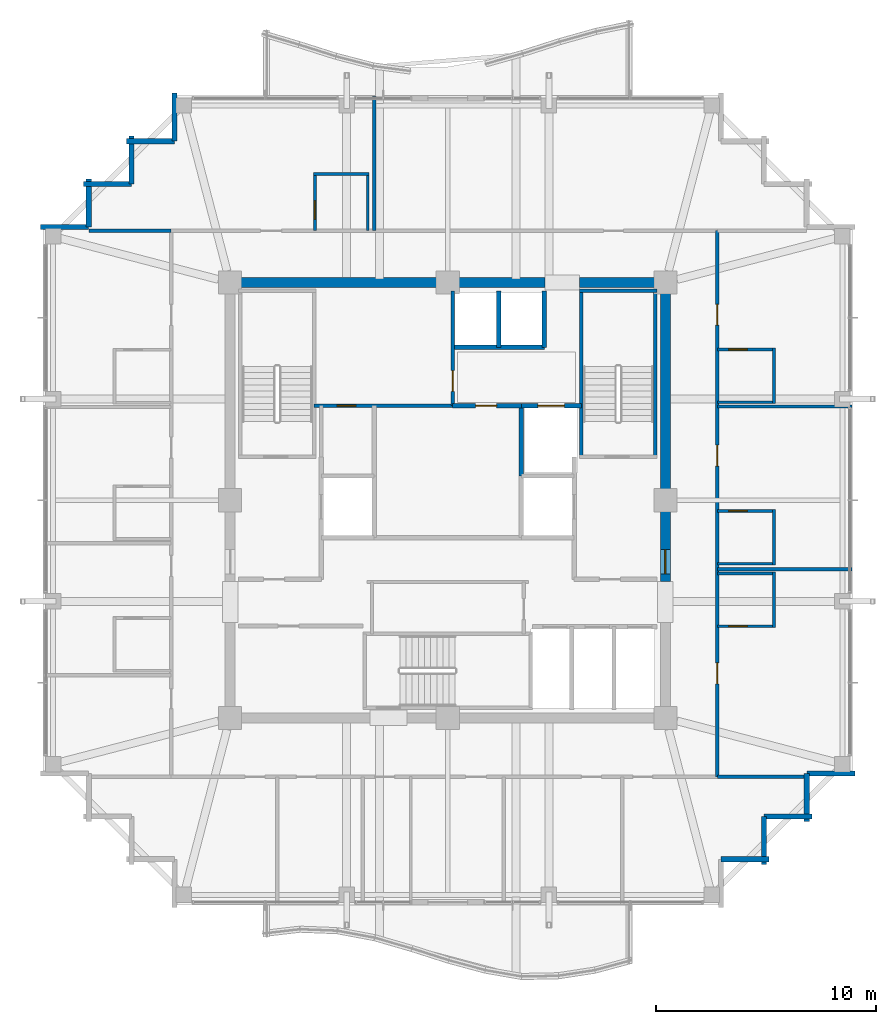
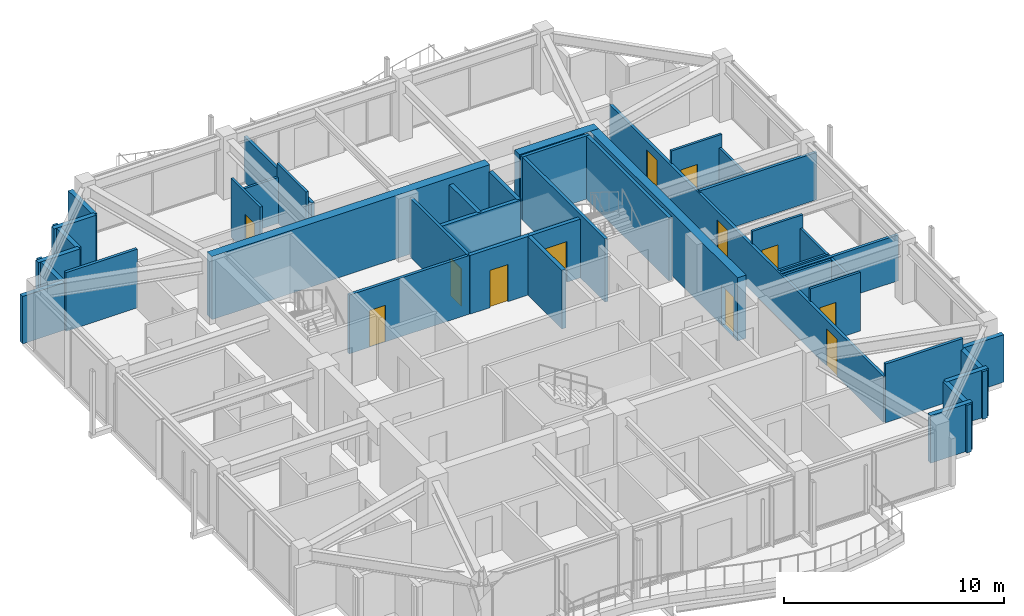
# One storey, part 28 of 31: 43 walls, 12 doors, 12 openings.
"""IFC4 building model written with IfcOpenShell, lengths in metres."""

from ifc_helpers import new_model, si_unit, direction, frame, frame_2d, origin, place, context, subcontext, project, spatial, rectangle, extrude, material, layer, layer_set, type_object, element, fill, save


model = new_model("IFC4")

# Units and contexts
model_context = context("Model", 3, precision=1e-05, world=origin(), true_north=direction((0.0, 1.0)))
body_context = subcontext(model_context, "Body", "Model", "MODEL_VIEW")
ifc_project = project(units=[si_unit("LENGTHUNIT", "METRE"), si_unit("AREAUNIT", "SQUARE_METRE"), si_unit("VOLUMEUNIT", "CUBIC_METRE"), si_unit("PLANEANGLEUNIT", "RADIAN"), si_unit("MASSUNIT", "GRAM", prefix="KILO")], contexts=[model_context])

# Site, building, storey
site_placement = place(None, origin())
site = spatial("IfcSite", under=ifc_project, at=site_placement, CompositionType="ELEMENT")
building_placement = place(site_placement, origin())
building = spatial("IfcBuilding", under=site, at=building_placement, Name="Kolvaren Belvedere", CompositionType="ELEMENT")
storey_placement = place(building_placement, frame((0.0, 0.0, 247.89990234375)))
storey = spatial("IfcBuildingStorey", under=building, at=storey_placement, Name="L72", CompositionType="ELEMENT", Elevation=247.89990234375)

# Walls
ifc_material_1 = material(Name="Concrete C50/60", Category="concrete")
ifc_layer_1 = layer(ifc_material_1, 0.449951171875)
ifc_layer_set_1 = layer_set([ifc_layer_1], Name="Concrete C50/60")
wall_type_1 = type_object("IfcWallType", Name="CW-CORE-450", PredefinedType="SHEAR", material=ifc_layer_set_1)
wall_1_placement = place(storey_placement, frame((-10.125, 9.89990234375, 0.0), z_axis=(0.0, 0.0, 1.0), x_axis=(1.0, 0.0, 0.0)))
element("IfcWall", 1, at=wall_1_placement, inside=storey, type_object=wall_type_1, Name="L72 North Core Shear Wall 1", PredefinedType="SHEAR", context=body_context, shape_type="SweptSolid", body=[
    extrude(rectangle(XDim=14.544921875, YDim=0.449951171875, at=frame_2d((7.2724609375, 0.0))), origin(), (0.0, 0.0, 1.0), 3.5),
])
wall_2_placement = place(storey_placement, frame((5.97998046875, 9.89990234375, 0.0), z_axis=(0.0, 0.0, 1.0), x_axis=(1.0, 0.0, 0.0)))
element("IfcWall", 2, at=wall_2_placement, inside=storey, type_object=wall_type_1, Name="L72 North Core Shear Wall 2", PredefinedType="SHEAR", context=body_context, shape_type="SweptSolid", body=[
    extrude(rectangle(XDim=4.14501953125, YDim=0.449951171875, at=frame_2d((2.072509765625, 0.0))), origin(), (0.0, 0.0, 1.0), 3.5),
])

# Wall, opening, door
wall_3_placement = place(storey_placement, frame((9.89990234375, -3.699951171875, 0.0), z_axis=(0.0, 0.0, 1.0), x_axis=(0.0, 1.0, 0.0)))
wall_3 = element("IfcWall", 3, at=wall_3_placement, inside=storey, type_object=wall_type_1, Name="L72 East Core Shear Wall 2", PredefinedType="SHEAR", context=body_context, shape_type="SweptSolid", body=[
    extrude(rectangle(XDim=13.375, YDim=0.449951171875, at=frame_2d((6.6875, 0.0))), origin(), (0.0, 0.0, 1.0), 3.5),
])
opening_1_placement = place(wall_3_placement, frame((0.35009765625, 0.0, 0.0)))
opening_1 = element("IfcOpeningElement", 4, at=opening_1_placement, cuts=wall_3, Name="Opening D-FD90", PredefinedType="OPENING", context=body_context, shape_type="SweptSolid", body=[
    extrude(rectangle(XDim=1.10009765625, YDim=2.199951171875, at=frame_2d((0.550048828125, 1.10009765625))), frame((0.0, 0.23486328125, 0.0), z_axis=(0.0, -1.0, 0.0), x_axis=(1.0, 0.0, 0.0)), (0.0, 0.0, 1.0), 0.469970703125),
])
ifc_material_2 = material(Name="Painted hollow stainless steel", Category="steel")
door_type_1 = type_object("IfcDoorType", Name="DR-FD90-1100", OperationType="NOTDEFINED", PredefinedType="DOOR", material=ifc_material_2)
door_1_placement = place(opening_1_placement, origin())
door_1 = element("IfcDoor", 5, at=door_1_placement, inside=storey, type_object=door_type_1, Name="L72 East Firefighting Lobby Fire Door", OperationType="SINGLE_SWING_RIGHT", OverallHeight=2.199951171875, OverallWidth=1.10009765625, PredefinedType="DOOR", context=body_context, shape_type="SweptSolid", body=[
    extrude(rectangle(XDim=1.10009765625, YDim=2.199951171875, at=frame_2d((0.550048828125, 1.10009765625))), frame((0.0, 0.02490234375, 0.0), z_axis=(0.0, -1.0, 0.0), x_axis=(1.0, 0.0, 0.0)), (0.0, 0.0, 1.0), 0.050048828125),
])
fill(opening_1, door_1)

# Walls
ifc_material_3 = material(Name="Concrete C50/60", Category="concrete")
ifc_layer_2 = layer(ifc_material_3, 0.159912109375)
ifc_layer_set_2 = layer_set([ifc_layer_2], Name="Concrete C50/60")
wall_type_2 = type_object("IfcWallType", Name="CW-STAIR-160", PredefinedType="SHEAR", material=ifc_layer_set_2)
wall_4_placement = place(storey_placement, frame((6.0, 9.530029296875, 0.0), z_axis=(0.0, 0.0, 1.0), x_axis=(1.0, 0.0, 0.0)))
element("IfcWall", 6, at=wall_4_placement, inside=storey, type_object=wall_type_2, Name="L72 Stair ST-2 North Shear Wall", PredefinedType="SHEAR", context=body_context, shape_type="SweptSolid", body=[
    extrude(rectangle(XDim=3.52001953125, YDim=0.159912109375, at=frame_2d((1.760009765625, 0.0))), origin(), (0.0, 0.0, 1.0), 3.5),
])
for number, where, z_axis, x_axis, name in (
    (7, (6.080078125, 1.969970703125, 0.0), (0.0, 0.0, 1.0), (0.0, 1.0, 0.0), "L72 Stair ST-2 West Shear Wall"),
    (8, (9.429931640625, 1.969970703125, 0.0), (0.0, 0.0, 1.0), (0.0, 1.0, 0.0), "L72 Stair ST-2 East Shear Wall"),
):
    element("IfcWall", number, at=place(storey_placement, frame(where, z_axis=z_axis, x_axis=x_axis)), inside=storey, type_object=wall_type_2, Name=name, PredefinedType="SHEAR", context=body_context, shape_type="SweptSolid", body=[
        extrude(rectangle(XDim=7.56005859375, YDim=0.159912109375, at=frame_2d((3.780029296875, 0.0))), origin(), (0.0, 0.0, 1.0), 3.5),
    ])

# Wall, openings, doors
ifc_material_4 = material(Name="Gypsum fire-rated partition assembly", Category="gypsum")
ifc_layer_3 = layer(ifc_material_4, 0.14990234375)
ifc_layer_set_3 = layer_set([ifc_layer_3], Name="Gypsum fire-rated partition assembly")
wall_type_3 = type_object("IfcWallType", Name="WL-CORR-150", PredefinedType="PARTITIONING", material=ifc_layer_set_3)
wall_5_placement = place(storey_placement, frame((12.260009765625, -12.580078125, 0.0), z_axis=(0.0, 0.0, 1.0), x_axis=(0.0, 1.0, 0.0)))
wall_5 = element("IfcWall", 9, at=wall_5_placement, inside=storey, type_object=wall_type_3, Name="L72 East Corridor Wall", PredefinedType="PARTITIONING", context=body_context, shape_type="SweptSolid", body=[
    extrude(rectangle(XDim=24.840087890625, YDim=0.14990234375, at=frame_2d((12.419921875, 0.0))), origin(), (0.0, 0.0, 1.0), 2.5390625),
])
opening_2_placement = place(wall_5_placement, frame((4.2275390625, 0.0, 0.0)))
opening_2 = element("IfcOpeningElement", 10, at=opening_2_placement, cuts=wall_5, Name="Opening D-FD60", PredefinedType="OPENING", context=body_context, shape_type="SweptSolid", body=[
    extrude(rectangle(XDim=0.949951171875, YDim=2.06005859375, at=frame_2d((0.47509765625, 1.030029296875))), frame((0.0, 0.0849609375, 0.0), z_axis=(0.0, -1.0, 0.0), x_axis=(1.0, 0.0, 0.0)), (0.0, 0.0, 1.0), 0.169921875),
])
opening_3_placement = place(wall_5_placement, frame((14.135009765625, 0.0, 0.0)))
opening_3 = element("IfcOpeningElement", 11, at=opening_3_placement, cuts=wall_5, Name="Opening D-FD60", PredefinedType="OPENING", context=body_context, shape_type="SweptSolid", body=[
    extrude(rectangle(XDim=0.949951171875, YDim=2.06005859375, at=frame_2d((0.47509765625, 1.030029296875))), frame((0.0, 0.0849609375, 0.0), z_axis=(0.0, -1.0, 0.0), x_axis=(1.0, 0.0, 0.0)), (0.0, 0.0, 1.0), 0.169921875),
])
opening_4_placement = place(wall_5_placement, frame((20.54248046875, 0.0, 0.0)))
opening_4 = element("IfcOpeningElement", 12, at=opening_4_placement, cuts=wall_5, Name="Opening D-FD60", PredefinedType="OPENING", context=body_context, shape_type="SweptSolid", body=[
    extrude(rectangle(XDim=0.949951171875, YDim=2.06005859375, at=frame_2d((0.47509765625, 1.030029296875))), frame((0.0, 0.0849609375, 0.0), z_axis=(0.0, -1.0, 0.0), x_axis=(1.0, 0.0, 0.0)), (0.0, 0.0, 1.0), 0.169921875),
])
ifc_material_5 = material(Name="Acoustic white-oak fire door leaf", Category="timber")
door_type_2 = type_object("IfcDoorType", Name="DR-FD60-950", OperationType="NOTDEFINED", PredefinedType="DOOR", material=ifc_material_5)
door_2_placement = place(opening_2_placement, origin())
door_2 = element("IfcDoor", 13, at=door_2_placement, inside=storey, type_object=door_type_2, Name="L72 Botanical Hospitality Suite 7205 Entry Door", OperationType="SINGLE_SWING_LEFT", OverallHeight=2.06005859375, OverallWidth=0.949951171875, PredefinedType="DOOR", context=body_context, shape_type="SweptSolid", body=[
    extrude(rectangle(XDim=0.949951171875, YDim=2.06005859375, at=frame_2d((0.47509765625, 1.030029296875))), frame((0.0, 0.02490234375, 0.0), z_axis=(0.0, -1.0, 0.0), x_axis=(1.0, 0.0, 0.0)), (0.0, 0.0, 1.0), 0.050048828125),
])
fill(opening_2, door_2)
door_3_placement = place(opening_3_placement, origin())
door_3 = element("IfcDoor", 14, at=door_3_placement, inside=storey, type_object=door_type_2, Name="L72 King Guest Room 7206 Entry Door", OperationType="SINGLE_SWING_LEFT", OverallHeight=2.06005859375, OverallWidth=0.949951171875, PredefinedType="DOOR", context=body_context, shape_type="SweptSolid", body=[
    extrude(rectangle(XDim=0.949951171875, YDim=2.06005859375, at=frame_2d((0.47509765625, 1.030029296875))), frame((0.0, 0.02490234375, 0.0), z_axis=(0.0, -1.0, 0.0), x_axis=(1.0, 0.0, 0.0)), (0.0, 0.0, 1.0), 0.050048828125),
])
fill(opening_3, door_3)
door_4_placement = place(opening_4_placement, origin())
door_4 = element("IfcDoor", 15, at=door_4_placement, inside=storey, type_object=door_type_2, Name="L72 Botanical Hospitality Suite 7207 Entry Door", OperationType="SINGLE_SWING_LEFT", OverallHeight=2.06005859375, OverallWidth=0.949951171875, PredefinedType="DOOR", context=body_context, shape_type="SweptSolid", body=[
    extrude(rectangle(XDim=0.949951171875, YDim=2.06005859375, at=frame_2d((0.47509765625, 1.030029296875))), frame((0.0, 0.02490234375, 0.0), z_axis=(0.0, -1.0, 0.0), x_axis=(1.0, 0.0, 0.0)), (0.0, 0.0, 1.0), 0.050048828125),
])
fill(opening_4, door_4)

# Walls
ifc_material_6 = material(Name="Insulated pale-metal facade wall assembly", Category="aluminium")
ifc_layer_4 = layer(ifc_material_6, 0.239990234375)
ifc_layer_set_4 = layer_set([ifc_layer_4], Name="Insulated pale-metal facade wall assembly")
wall_type_4 = type_object("IfcWallType", Name="WL-EXT-240", PredefinedType="STANDARD", material=ifc_layer_set_4)
for number, where, z_axis, x_axis, name in (
    (16, (14.6201171875, -16.330078125, 0.0), (0.0, 0.0, 1.0), (-1.0, 0.0, 0.0), "L72 Serrated Corner Facade Wall 3"),
    (17, (14.3798828125, -14.3798828125, 0.0), (0.0, 0.0, 1.0), (0.0, -1.0, 0.0), "L72 Serrated Corner Facade Wall 4"),
    (18, (16.570068359375, -14.3798828125, 0.0), (0.0, 0.0, 1.0), (-1.0, 0.0, 0.0), "L72 Serrated Corner Facade Wall 5"),
    (19, (16.330078125, -12.429931640625, 0.0), (0.0, 0.0, 1.0), (0.0, -1.0, 0.0), "L72 Serrated Corner Facade Wall 6"),
):
    element("IfcWall", number, at=place(storey_placement, frame(where, z_axis=z_axis, x_axis=x_axis)), inside=storey, type_object=wall_type_4, Name=name, PredefinedType="STANDARD", context=body_context, shape_type="SweptSolid", body=[
        extrude(rectangle(XDim=2.190185546875, YDim=0.239990234375, at=frame_2d((1.09521484375, 0.0))), origin(), (0.0, 0.0, 1.0), 2.633056640625),
    ])
for number, where, z_axis, x_axis, name in (
    (20, (18.52001953125, -12.429931640625, 0.0), (0.0, 0.0, 1.0), (-1.0, 0.0, 0.0), "L72 Serrated Corner Facade Wall 7"),
    (21, (-12.429931640625, 16.330078125, 0.0), (0.0, 0.0, 1.0), (0.0, 1.0, 0.0), "L72 Serrated Corner Facade Wall 16"),
):
    element("IfcWall", number, at=place(storey_placement, frame(where, z_axis=z_axis, x_axis=x_axis)), inside=storey, type_object=wall_type_4, Name=name, PredefinedType="STANDARD", context=body_context, shape_type="SweptSolid", body=[
        extrude(rectangle(XDim=2.18994140625, YDim=0.239990234375, at=frame_2d((1.094970703125, 0.0))), origin(), (0.0, 0.0, 1.0), 2.633056640625),
    ])
for number, where, z_axis, x_axis, name in (
    (22, (-14.6201171875, 16.330078125, 0.0), (0.0, 0.0, 1.0), (1.0, 0.0, 0.0), "L72 Serrated Corner Facade Wall 17"),
    (23, (-14.3798828125, 14.3798828125, 0.0), (0.0, 0.0, 1.0), (0.0, 1.0, 0.0), "L72 Serrated Corner Facade Wall 18"),
    (24, (-16.570068359375, 14.3798828125, 0.0), (0.0, 0.0, 1.0), (1.0, 0.0, 0.0), "L72 Serrated Corner Facade Wall 19"),
    (25, (-16.330078125, 12.429931640625, 0.0), (0.0, 0.0, 1.0), (0.0, 1.0, 0.0), "L72 Serrated Corner Facade Wall 20"),
):
    element("IfcWall", number, at=place(storey_placement, frame(where, z_axis=z_axis, x_axis=x_axis)), inside=storey, type_object=wall_type_4, Name=name, PredefinedType="STANDARD", context=body_context, shape_type="SweptSolid", body=[
        extrude(rectangle(XDim=2.190185546875, YDim=0.239990234375, at=frame_2d((1.09521484375, 0.0))), origin(), (0.0, 0.0, 1.0), 2.633056640625),
    ])
wall_6_placement = place(storey_placement, frame((-18.52001953125, 12.429931640625, 0.0), z_axis=(0.0, 0.0, 1.0), x_axis=(1.0, 0.0, 0.0)))
element("IfcWall", 26, at=wall_6_placement, inside=storey, type_object=wall_type_4, Name="L72 Serrated Corner Facade Wall 21", PredefinedType="STANDARD", context=body_context, shape_type="SweptSolid", body=[
    extrude(rectangle(XDim=2.18994140625, YDim=0.239990234375, at=frame_2d((1.094970703125, 0.0))), origin(), (0.0, 0.0, 1.0), 2.633056640625),
])

# Wall, opening, door
ifc_material_7 = material(Name="Gypsum acoustic partition assembly", Category="gypsum")
ifc_layer_5 = layer(ifc_material_7, 0.14990234375)
ifc_layer_set_5 = layer_set([ifc_layer_5], Name="Gypsum acoustic partition assembly")
wall_type_5 = type_object("IfcWallType", Name="WL-PART-150", PredefinedType="PARTITIONING", material=ifc_layer_set_5)
wall_7_placement = place(storey_placement, frame((-6.080078125, 4.300048828125, 0.0), z_axis=(0.0, 0.0, 1.0), x_axis=(1.0, 0.0, 0.0)))
wall_7 = element("IfcWall", 27, at=wall_7_placement, inside=storey, type_object=wall_type_5, Name="L72 Reclaimed Salon South Wall", PredefinedType="PARTITIONING", context=body_context, shape_type="SweptSolid", body=[
    extrude(rectangle(XDim=6.300048828125, YDim=0.14990234375, at=frame_2d((3.14990234375, 0.0))), origin(), (0.0, 0.0, 1.0), 3.25),
])
opening_5_placement = place(wall_7_placement, frame((1.050048828125, 0.0, 0.0)))
opening_5 = element("IfcOpeningElement", 28, at=opening_5_placement, cuts=wall_7, Name="Opening D-INT85", PredefinedType="OPENING", context=body_context, shape_type="SweptSolid", body=[
    extrude(rectangle(XDim=0.85009765625, YDim=2.030029296875, at=frame_2d((0.425048828125, 1.01513671875))), frame((0.0, 0.0849609375, 0.0), z_axis=(0.0, -1.0, 0.0), x_axis=(1.0, 0.0, 0.0)), (0.0, 0.0, 1.0), 0.169921875),
])
ifc_material_8 = material(Name="Stained Pacific white oak", Category="timber")
door_type_3 = type_object("IfcDoorType", Name="DR-INT-850", OperationType="NOTDEFINED", PredefinedType="DOOR", material=ifc_material_8)
door_5_placement = place(opening_5_placement, origin())
door_5 = element("IfcDoor", 29, at=door_5_placement, inside=storey, type_object=door_type_3, Name="L72 NW Core Store Door", OperationType="SINGLE_SWING_RIGHT", OverallHeight=2.030029296875, OverallWidth=0.85009765625, PredefinedType="DOOR", context=body_context, shape_type="SweptSolid", body=[
    extrude(rectangle(XDim=0.85009765625, YDim=2.030029296875, at=frame_2d((0.425048828125, 1.01513671875))), frame((0.0, 0.02490234375, 0.0), z_axis=(0.0, -1.0, 0.0), x_axis=(1.0, 0.0, 0.0)), (0.0, 0.0, 1.0), 0.050048828125),
])
fill(opening_5, door_5)

wall_8_placement = place(storey_placement, frame((0.219970703125, 4.300048828125, 0.0), z_axis=(0.0, 0.0, 1.0), x_axis=(0.0, 1.0, 0.0)))
wall_8 = element("IfcWall", 30, at=wall_8_placement, inside=storey, type_object=wall_type_5, Name="L72 Reclaimed Salon East Wall", PredefinedType="PARTITIONING", context=body_context, shape_type="SweptSolid", body=[
    extrude(rectangle(XDim=5.219970703125, YDim=0.14990234375, at=frame_2d((2.60986328125, 0.0))), origin(), (0.0, 0.0, 1.0), 3.25),
])
opening_6_placement = place(wall_8_placement, frame((0.64990234375, 0.0, 0.0)))
opening_6 = element("IfcOpeningElement", 31, at=opening_6_placement, cuts=wall_8, Name="Opening D-INT95", PredefinedType="OPENING", context=body_context, shape_type="SweptSolid", body=[
    extrude(rectangle(XDim=0.949951171875, YDim=2.06005859375, at=frame_2d((0.47509765625, 1.030029296875))), frame((0.0, 0.0849609375, 0.0), z_axis=(0.0, -1.0, 0.0), x_axis=(1.0, 0.0, 0.0)), (0.0, 0.0, 1.0), 0.169921875),
])
ifc_material_9 = material(Name="Stained Pacific white oak", Category="timber")
door_type_4 = type_object("IfcDoorType", Name="DR-INT-950", OperationType="NOTDEFINED", PredefinedType="DOOR", material=ifc_material_9)
door_6_placement = place(opening_6_placement, origin())
door_6 = element("IfcDoor", 32, at=door_6_placement, inside=storey, type_object=door_type_4, Name="L72 Botanical Reading Salon Door", OperationType="SINGLE_SWING_LEFT", OverallHeight=2.06005859375, OverallWidth=0.949951171875, PredefinedType="DOOR", context=body_context, shape_type="SweptSolid", body=[
    extrude(rectangle(XDim=0.949951171875, YDim=2.06005859375, at=frame_2d((0.47509765625, 1.030029296875))), frame((0.0, 0.02490234375, 0.0), z_axis=(0.0, -1.0, 0.0), x_axis=(1.0, 0.0, 0.0)), (0.0, 0.0, 1.0), 0.050048828125),
])
fill(opening_6, door_6)

# Walls
wall_9_placement = place(storey_placement, frame((12.260009765625, -12.580078125, 0.0), z_axis=(0.0, 0.0, 1.0), x_axis=(1.0, 0.0, 0.0)))
element("IfcWall", 33, at=wall_9_placement, inside=storey, type_object=wall_type_5, Name="L72 Wing Divider PW-L72-QSE", PredefinedType="PARTITIONING", context=body_context, shape_type="SweptSolid", body=[
    extrude(rectangle(XDim=4.06005859375, YDim=0.14990234375, at=frame_2d((2.030029296875, 0.0))), origin(), (0.0, 0.0, 1.0), 3.25),
])
wall_10_placement = place(storey_placement, frame((-16.320068359375, 12.260009765625, 0.0), z_axis=(0.0, 0.0, 1.0), x_axis=(1.0, 0.0, 0.0)))
element("IfcWall", 34, at=wall_10_placement, inside=storey, type_object=wall_type_5, Name="L72 Wing Divider PW-L72-QNW", PredefinedType="PARTITIONING", context=body_context, shape_type="SweptSolid", body=[
    extrude(rectangle(XDim=3.739990234375, YDim=0.14990234375, at=frame_2d((1.8701171875, 0.0))), origin(), (0.0, 0.0, 1.0), 3.25),
])
wall_11_placement = place(storey_placement, frame((12.260009765625, -3.139892578125, 0.0), z_axis=(0.0, 0.0, 1.0), x_axis=(1.0, 0.0, 0.0)))
element("IfcWall", 35, at=wall_11_placement, inside=storey, type_object=wall_type_5, Name="L72 East Suite Demising Wall 1", PredefinedType="PARTITIONING", context=body_context, shape_type="SweptSolid", body=[
    extrude(rectangle(XDim=6.119873046875, YDim=0.14990234375, at=frame_2d((3.06005859375, 0.0))), origin(), (0.0, 0.0, 1.0), 2.5390625),
])
wall_12_placement = place(storey_placement, frame((12.260009765625, 4.260009765625, 0.0), z_axis=(0.0, 0.0, 1.0), x_axis=(1.0, 0.0, 0.0)))
element("IfcWall", 36, at=wall_12_placement, inside=storey, type_object=wall_type_5, Name="L72 East Suite Demising Wall 2", PredefinedType="PARTITIONING", context=body_context, shape_type="SweptSolid", body=[
    extrude(rectangle(XDim=6.119873046875, YDim=0.14990234375, at=frame_2d((3.06005859375, 0.0))), origin(), (0.0, 0.0, 1.0), 2.623046875),
])
wall_13_placement = place(storey_placement, frame((-3.343994140625, 12.260009765625, 0.0), z_axis=(0.0, 0.0, 1.0), x_axis=(0.0, 1.0, 0.0)))
element("IfcWall", 37, at=wall_13_placement, inside=storey, type_object=wall_type_5, Name="L72 North Suite Demising Wall 1", PredefinedType="PARTITIONING", context=body_context, shape_type="SweptSolid", body=[
    extrude(rectangle(XDim=6.119873046875, YDim=0.14990234375, at=frame_2d((3.06005859375, 0.0))), origin(), (0.0, 0.0, 1.0), 2.5390625),
])

# Wall, opening, door
ifc_material_10 = material(Name="Concrete C50/60", Category="concrete")
ifc_layer_6 = layer(ifc_material_10, 0.199951171875)
ifc_layer_set_6 = layer_set([ifc_layer_6], Name="Concrete C50/60")
wall_type_6 = type_object("IfcWallType", Name="WL-SHAFT-200", PredefinedType="SOLIDWALL", material=ifc_layer_set_6)
wall_14_placement = place(storey_placement, frame((3.35009765625, 4.300048828125, 0.0), z_axis=(0.0, 0.0, 1.0), x_axis=(1.0, 0.0, 0.0)))
wall_14 = element("IfcWall", 38, at=wall_14_placement, inside=storey, type_object=wall_type_6, Name="L72 Service Lift SV1 Front Wall", PredefinedType="SOLIDWALL", context=body_context, shape_type="SweptSolid", body=[
    extrude(rectangle(XDim=2.72998046875, YDim=0.199951171875, at=frame_2d((1.364990234375, 0.0))), origin(), (0.0, 0.0, 1.0), 3.25),
])
opening_7_placement = place(wall_14_placement, frame((0.75, 0.0, 0.0)))
opening_7 = element("IfcOpeningElement", 39, at=opening_7_placement, cuts=wall_14, Name="Opening LD-12", PredefinedType="OPENING", context=body_context, shape_type="SweptSolid", body=[
    extrude(rectangle(XDim=1.199951171875, YDim=2.25, at=frame_2d((0.60009765625, 1.125))), frame((0.0, 0.10986328125, 0.0), z_axis=(0.0, -1.0, 0.0), x_axis=(1.0, 0.0, 0.0)), (0.0, 0.0, 1.0), 0.219970703125),
])
ifc_material_11 = material(Name="Brushed stainless steel", Category="steel")
door_type_5 = type_object("IfcDoorType", Name="DR-LIFT-1200", OperationType="DOUBLE_DOOR_SLIDING", PredefinedType="DOOR", material=ifc_material_11)
door_7_placement = place(opening_7_placement, origin())
door_7 = element("IfcDoor", 40, at=door_7_placement, inside=storey, type_object=door_type_5, Name="L72 Service Lift SV1 Landing Door", OperationType="DOUBLE_DOOR_SLIDING", OverallHeight=2.25, OverallWidth=1.199951171875, PredefinedType="DOOR", context=body_context, shape_type="SweptSolid", body=[
    extrude(rectangle(XDim=1.199951171875, YDim=2.25, at=frame_2d((0.60009765625, 1.125))), frame((0.0, 0.02490234375, 0.0), z_axis=(0.0, -1.0, 0.0), x_axis=(1.0, 0.0, 0.0)), (0.0, 0.0, 1.0), 0.050048828125),
])
fill(opening_7, door_7)

# Walls
wall_15_placement = place(storey_placement, frame((0.219970703125, 6.949951171875, 0.0), z_axis=(0.0, 0.0, 1.0), x_axis=(1.0, 0.0, 0.0)))
element("IfcWall", 41, at=wall_15_placement, inside=storey, type_object=wall_type_6, Name="L72 Express Shuttle Hoistway Wall", PredefinedType="SOLIDWALL", context=body_context, shape_type="SweptSolid", body=[
    extrude(rectangle(XDim=4.179931640625, YDim=0.199951171875, at=frame_2d((2.08984375, 0.0))), origin(), (0.0, 0.0, 1.0), 3.25),
])
for number, where, z_axis, x_axis, name in (
    (42, (4.3798828125, 6.949951171875, 0.0), (0.0, 0.0, 1.0), (0.0, 1.0, 0.0), "L72 Express Shuttle East Wall"),
    (43, (2.31005859375, 6.949951171875, 0.0), (0.0, 0.0, 1.0), (0.0, 1.0, 0.0), "L72 Express Shuttle Divider"),
):
    element("IfcWall", number, at=place(storey_placement, frame(where, z_axis=z_axis, x_axis=x_axis)), inside=storey, type_object=wall_type_6, Name=name, PredefinedType="SOLIDWALL", context=body_context, shape_type="SweptSolid", body=[
        extrude(rectangle(XDim=2.570068359375, YDim=0.199951171875, at=frame_2d((1.28515625, 0.0))), origin(), (0.0, 0.0, 1.0), 3.25),
    ])

# Wall, opening, door
wall_16_placement = place(storey_placement, frame((0.219970703125, 4.300048828125, 0.0), z_axis=(0.0, 0.0, 1.0), x_axis=(1.0, 0.0, 0.0)))
wall_16 = element("IfcWall", 44, at=wall_16_placement, inside=storey, type_object=wall_type_6, Name="L72 Central Core Room North Wall", PredefinedType="SOLIDWALL", context=body_context, shape_type="SweptSolid", body=[
    extrude(rectangle(XDim=3.130126953125, YDim=0.199951171875, at=frame_2d((1.56494140625, 0.0))), origin(), (0.0, 0.0, 1.0), 3.25),
])
opening_8_placement = place(wall_16_placement, frame((1.050048828125, 0.0, 0.0)))
opening_8 = element("IfcOpeningElement", 45, at=opening_8_placement, cuts=wall_16, Name="Opening D-FD60", PredefinedType="OPENING", context=body_context, shape_type="SweptSolid", body=[
    extrude(rectangle(XDim=0.949951171875, YDim=2.06005859375, at=frame_2d((0.47509765625, 1.030029296875))), frame((0.0, 0.10986328125, 0.0), z_axis=(0.0, -1.0, 0.0), x_axis=(1.0, 0.0, 0.0)), (0.0, 0.0, 1.0), 0.219970703125),
])
door_8_placement = place(opening_8_placement, origin())
door_8 = element("IfcDoor", 46, at=door_8_placement, inside=storey, type_object=door_type_2, Name="L72 Central Core Controls Door", OperationType="SINGLE_SWING_LEFT", OverallHeight=2.06005859375, OverallWidth=0.949951171875, PredefinedType="DOOR", context=body_context, shape_type="SweptSolid", body=[
    extrude(rectangle(XDim=0.949951171875, YDim=2.06005859375, at=frame_2d((0.47509765625, 1.030029296875))), frame((0.0, 0.02490234375, 0.0), z_axis=(0.0, -1.0, 0.0), x_axis=(1.0, 0.0, 0.0)), (0.0, 0.0, 1.0), 0.050048828125),
])
fill(opening_8, door_8)

# Wall
wall_17_placement = place(storey_placement, frame((3.35009765625, 1.10009765625, 0.0), z_axis=(0.0, 0.0, 1.0), x_axis=(0.0, 1.0, 0.0)))
element("IfcWall", 47, at=wall_17_placement, inside=storey, type_object=wall_type_6, Name="L72 Central Core Room East Wall", PredefinedType="SOLIDWALL", context=body_context, shape_type="SweptSolid", body=[
    extrude(rectangle(XDim=3.199951171875, YDim=0.199951171875, at=frame_2d((1.60009765625, 0.0))), origin(), (0.0, 0.0, 1.0), 3.25),
])

# Wall, opening, door
ifc_material_12 = material(Name="Moisture-resistant gypsum partition", Category="gypsum")
ifc_layer_7 = layer(ifc_material_12, 0.125)
ifc_layer_set_7 = layer_set([ifc_layer_7], Name="Moisture-resistant gypsum partition")
wall_type_7 = type_object("IfcWallType", Name="WL-WET-125", PredefinedType="PARTITIONING", material=ifc_layer_set_7)
wall_18_placement = place(storey_placement, frame((12.27490234375, -5.735107421875, 0.0), z_axis=(0.0, 0.0, 1.0), x_axis=(1.0, 0.0, 0.0)))
wall_18 = element("IfcWall", 48, at=wall_18_placement, inside=storey, type_object=wall_type_7, Name="L72 Bathroom Partition PW-L72-BTH-5-N", PredefinedType="PARTITIONING", context=body_context, shape_type="SweptSolid", body=[
    extrude(rectangle(XDim=2.64013671875, YDim=0.125, at=frame_2d((1.320068359375, 0.0))), origin(), (0.0, 0.0, 1.0), 3.25),
])
opening_9_placement = place(wall_18_placement, frame((0.5, 0.0, 0.0)))
opening_9 = element("IfcOpeningElement", 49, at=opening_9_placement, cuts=wall_18, Name="Opening D-BTH85", PredefinedType="OPENING", context=body_context, shape_type="SweptSolid", body=[
    extrude(rectangle(XDim=0.85009765625, YDim=2.030029296875, at=frame_2d((0.425048828125, 1.01513671875))), frame((0.0, 0.072509765625, 0.0), z_axis=(0.0, -1.0, 0.0), x_axis=(1.0, 0.0, 0.0)), (0.0, 0.0, 1.0), 0.14501953125),
])
ifc_material_13 = material(Name="Moisture-sealed Pacific white oak", Category="timber")
door_type_6 = type_object("IfcDoorType", Name="DR-BATH-850", OperationType="NOTDEFINED", PredefinedType="DOOR", material=ifc_material_13)
door_9_placement = place(opening_9_placement, origin())
door_9 = element("IfcDoor", 50, at=door_9_placement, inside=storey, type_object=door_type_6, Name="L72 En-Suite Bathroom 7205 Door", OperationType="SINGLE_SWING_RIGHT", OverallHeight=2.030029296875, OverallWidth=0.85009765625, PredefinedType="DOOR", context=body_context, shape_type="SweptSolid", body=[
    extrude(rectangle(XDim=0.85009765625, YDim=2.030029296875, at=frame_2d((0.425048828125, 1.01513671875))), frame((0.0, 0.02490234375, 0.0), z_axis=(0.0, -1.0, 0.0), x_axis=(1.0, 0.0, 0.0)), (0.0, 0.0, 1.0), 0.050048828125),
])
fill(opening_9, door_9)

# Walls
wall_19_placement = place(storey_placement, frame((14.8349609375, -5.794921875, 0.0), z_axis=(0.0, 0.0, 1.0), x_axis=(0.0, 1.0, 0.0)))
element("IfcWall", 51, at=wall_19_placement, inside=storey, type_object=wall_type_7, Name="L72 Bathroom Partition PW-L72-BTH-5-V", PredefinedType="PARTITIONING", context=body_context, shape_type="SweptSolid", body=[
    extrude(rectangle(XDim=2.52001953125, YDim=0.125, at=frame_2d((1.260009765625, 0.0))), origin(), (0.0, 0.0, 1.0), 2.5390625),
])
wall_20_placement = place(storey_placement, frame((12.27490234375, -3.3349609375, 0.0), z_axis=(0.0, 0.0, 1.0), x_axis=(1.0, 0.0, 0.0)))
element("IfcWall", 52, at=wall_20_placement, inside=storey, type_object=wall_type_7, Name="L72 Bathroom Partition PW-L72-BTH-5-S", PredefinedType="PARTITIONING", context=body_context, shape_type="SweptSolid", body=[
    extrude(rectangle(XDim=2.64013671875, YDim=0.125, at=frame_2d((1.320068359375, 0.0))), origin(), (0.0, 0.0, 1.0), 2.5390625),
])

# Wall, opening, door
wall_21_placement = place(storey_placement, frame((12.27490234375, -0.486083984375, 0.0), z_axis=(0.0, 0.0, 1.0), x_axis=(1.0, 0.0, 0.0)))
wall_21 = element("IfcWall", 53, at=wall_21_placement, inside=storey, type_object=wall_type_7, Name="L72 Bathroom Partition PW-L72-BTH-6-N", PredefinedType="PARTITIONING", context=body_context, shape_type="SweptSolid", body=[
    extrude(rectangle(XDim=2.64013671875, YDim=0.125, at=frame_2d((1.320068359375, 0.0))), origin(), (0.0, 0.0, 1.0), 3.25),
])
opening_10_placement = place(wall_21_placement, frame((0.5, 0.0, 0.0)))
opening_10 = element("IfcOpeningElement", 54, at=opening_10_placement, cuts=wall_21, Name="Opening D-BTH85", PredefinedType="OPENING", context=body_context, shape_type="SweptSolid", body=[
    extrude(rectangle(XDim=0.85009765625, YDim=2.030029296875, at=frame_2d((0.425048828125, 1.01513671875))), frame((0.0, 0.072509765625, 0.0), z_axis=(0.0, -1.0, 0.0), x_axis=(1.0, 0.0, 0.0)), (0.0, 0.0, 1.0), 0.14501953125),
])
door_10_placement = place(opening_10_placement, origin())
door_10 = element("IfcDoor", 55, at=door_10_placement, inside=storey, type_object=door_type_6, Name="L72 En-Suite Bathroom 7206 Door", OperationType="SINGLE_SWING_RIGHT", OverallHeight=2.030029296875, OverallWidth=0.85009765625, PredefinedType="DOOR", context=body_context, shape_type="SweptSolid", body=[
    extrude(rectangle(XDim=0.85009765625, YDim=2.030029296875, at=frame_2d((0.425048828125, 1.01513671875))), frame((0.0, 0.02490234375, 0.0), z_axis=(0.0, -1.0, 0.0), x_axis=(1.0, 0.0, 0.0)), (0.0, 0.0, 1.0), 0.050048828125),
])
fill(opening_10, door_10)

# Walls
wall_22_placement = place(storey_placement, frame((14.8349609375, -2.946044921875, 0.0), z_axis=(0.0, 0.0, 1.0), x_axis=(0.0, 1.0, 0.0)))
element("IfcWall", 56, at=wall_22_placement, inside=storey, type_object=wall_type_7, Name="L72 Bathroom Partition PW-L72-BTH-6-V", PredefinedType="PARTITIONING", context=body_context, shape_type="SweptSolid", body=[
    extrude(rectangle(XDim=2.52001953125, YDim=0.125, at=frame_2d((1.260009765625, 0.0))), origin(), (0.0, 0.0, 1.0), 2.5390625),
])
wall_23_placement = place(storey_placement, frame((12.27490234375, -2.885986328125, 0.0), z_axis=(0.0, 0.0, 1.0), x_axis=(1.0, 0.0, 0.0)))
element("IfcWall", 57, at=wall_23_placement, inside=storey, type_object=wall_type_7, Name="L72 Bathroom Partition PW-L72-BTH-6-S", PredefinedType="PARTITIONING", context=body_context, shape_type="SweptSolid", body=[
    extrude(rectangle(XDim=2.64013671875, YDim=0.125, at=frame_2d((1.320068359375, 0.0))), origin(), (0.0, 0.0, 1.0), 2.5390625),
])

# Wall, opening, door
wall_24_placement = place(storey_placement, frame((12.27490234375, 6.85498046875, 0.0), z_axis=(0.0, 0.0, 1.0), x_axis=(1.0, 0.0, 0.0)))
wall_24 = element("IfcWall", 58, at=wall_24_placement, inside=storey, type_object=wall_type_7, Name="L72 Bathroom Partition PW-L72-BTH-7-N", PredefinedType="PARTITIONING", context=body_context, shape_type="SweptSolid", body=[
    extrude(rectangle(XDim=2.64013671875, YDim=0.125, at=frame_2d((1.320068359375, 0.0))), origin(), (0.0, 0.0, 1.0), 3.25),
])
opening_11_placement = place(wall_24_placement, frame((0.5, 0.0, 0.0)))
opening_11 = element("IfcOpeningElement", 59, at=opening_11_placement, cuts=wall_24, Name="Opening D-BTH85", PredefinedType="OPENING", context=body_context, shape_type="SweptSolid", body=[
    extrude(rectangle(XDim=0.85009765625, YDim=2.030029296875, at=frame_2d((0.425048828125, 1.01513671875))), frame((0.0, 0.072509765625, 0.0), z_axis=(0.0, -1.0, 0.0), x_axis=(1.0, 0.0, 0.0)), (0.0, 0.0, 1.0), 0.14501953125),
])
door_11_placement = place(opening_11_placement, origin())
door_11 = element("IfcDoor", 60, at=door_11_placement, inside=storey, type_object=door_type_6, Name="L72 En-Suite Bathroom 7207 Door", OperationType="SINGLE_SWING_RIGHT", OverallHeight=2.030029296875, OverallWidth=0.85009765625, PredefinedType="DOOR", context=body_context, shape_type="SweptSolid", body=[
    extrude(rectangle(XDim=0.85009765625, YDim=2.030029296875, at=frame_2d((0.425048828125, 1.01513671875))), frame((0.0, 0.02490234375, 0.0), z_axis=(0.0, -1.0, 0.0), x_axis=(1.0, 0.0, 0.0)), (0.0, 0.0, 1.0), 0.050048828125),
])
fill(opening_11, door_11)

# Walls
wall_25_placement = place(storey_placement, frame((14.8349609375, 4.39501953125, 0.0), z_axis=(0.0, 0.0, 1.0), x_axis=(0.0, 1.0, 0.0)))
element("IfcWall", 61, at=wall_25_placement, inside=storey, type_object=wall_type_7, Name="L72 Bathroom Partition PW-L72-BTH-7-V", PredefinedType="PARTITIONING", context=body_context, shape_type="SweptSolid", body=[
    extrude(rectangle(XDim=2.52001953125, YDim=0.125, at=frame_2d((1.260009765625, 0.0))), origin(), (0.0, 0.0, 1.0), 2.5390625),
])
wall_26_placement = place(storey_placement, frame((12.27490234375, 4.455078125, 0.0), z_axis=(0.0, 0.0, 1.0), x_axis=(1.0, 0.0, 0.0)))
element("IfcWall", 62, at=wall_26_placement, inside=storey, type_object=wall_type_7, Name="L72 Bathroom Partition PW-L72-BTH-7-S", PredefinedType="PARTITIONING", context=body_context, shape_type="SweptSolid", body=[
    extrude(rectangle(XDim=2.64013671875, YDim=0.125, at=frame_2d((1.320068359375, 0.0))), origin(), (0.0, 0.0, 1.0), 2.5390625),
])

# Wall, opening, door
wall_27_placement = place(storey_placement, frame((-6.0439453125, 12.27490234375, 0.0), z_axis=(0.0, 0.0, 1.0), x_axis=(0.0, 1.0, 0.0)))
wall_27 = element("IfcWall", 63, at=wall_27_placement, inside=storey, type_object=wall_type_7, Name="L72 Bathroom Partition PW-L72-BTH-12-E", PredefinedType="PARTITIONING", context=body_context, shape_type="SweptSolid", body=[
    extrude(rectangle(XDim=2.64013671875, YDim=0.125, at=frame_2d((1.320068359375, 0.0))), origin(), (0.0, 0.0, 1.0), 3.25),
])
opening_12_placement = place(wall_27_placement, frame((0.5, 0.0, 0.0)))
opening_12 = element("IfcOpeningElement", 64, at=opening_12_placement, cuts=wall_27, Name="Opening D-BTH85", PredefinedType="OPENING", context=body_context, shape_type="SweptSolid", body=[
    extrude(rectangle(XDim=0.85009765625, YDim=2.030029296875, at=frame_2d((0.425048828125, 1.01513671875))), frame((0.0, 0.072509765625, 0.0), z_axis=(0.0, -1.0, 0.0), x_axis=(1.0, 0.0, 0.0)), (0.0, 0.0, 1.0), 0.14501953125),
])
door_12_placement = place(opening_12_placement, origin())
door_12 = element("IfcDoor", 65, at=door_12_placement, inside=storey, type_object=door_type_6, Name="L72 En-Suite Bathroom 7212 Door", OperationType="SINGLE_SWING_LEFT", OverallHeight=2.030029296875, OverallWidth=0.85009765625, PredefinedType="DOOR", context=body_context, shape_type="SweptSolid", body=[
    extrude(rectangle(XDim=0.85009765625, YDim=2.030029296875, at=frame_2d((0.425048828125, 1.01513671875))), frame((0.0, 0.02490234375, 0.0), z_axis=(0.0, -1.0, 0.0), x_axis=(1.0, 0.0, 0.0)), (0.0, 0.0, 1.0), 0.050048828125),
])
fill(opening_12, door_12)

# Walls
wall_28_placement = place(storey_placement, frame((-6.10400390625, 14.8349609375, 0.0), z_axis=(0.0, 0.0, 1.0), x_axis=(1.0, 0.0, 0.0)))
element("IfcWall", 66, at=wall_28_placement, inside=storey, type_object=wall_type_7, Name="L72 Bathroom Partition PW-L72-BTH-12-H", PredefinedType="PARTITIONING", context=body_context, shape_type="SweptSolid", body=[
    extrude(rectangle(XDim=2.52001953125, YDim=0.125, at=frame_2d((1.260009765625, 0.0))), origin(), (0.0, 0.0, 1.0), 2.5390625),
])
wall_29_placement = place(storey_placement, frame((-3.64404296875, 12.27490234375, 0.0), z_axis=(0.0, 0.0, 1.0), x_axis=(0.0, 1.0, 0.0)))
element("IfcWall", 67, at=wall_29_placement, inside=storey, type_object=wall_type_7, Name="L72 Bathroom Partition PW-L72-BTH-12-W", PredefinedType="PARTITIONING", context=body_context, shape_type="SweptSolid", body=[
    extrude(rectangle(XDim=2.64013671875, YDim=0.125, at=frame_2d((1.320068359375, 0.0))), origin(), (0.0, 0.0, 1.0), 3.25),
])

save(model, "model.ifc")
